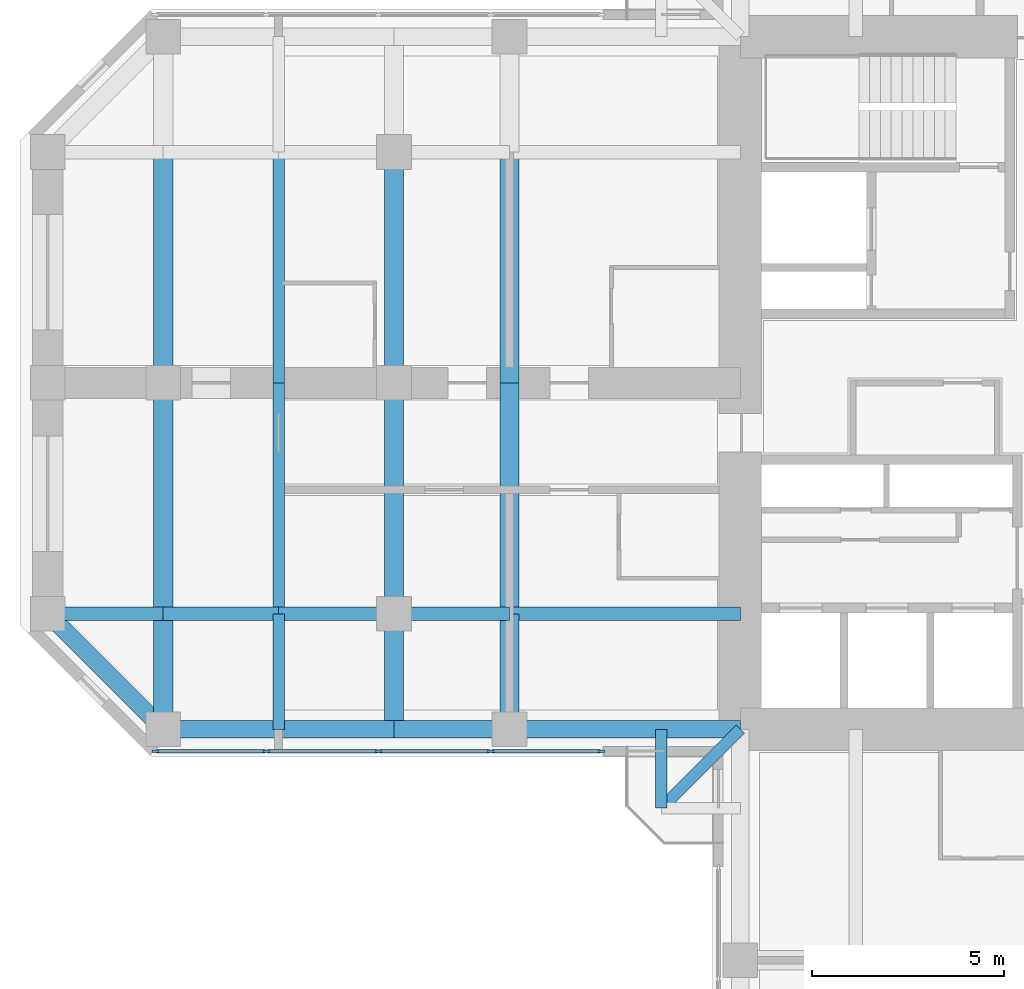
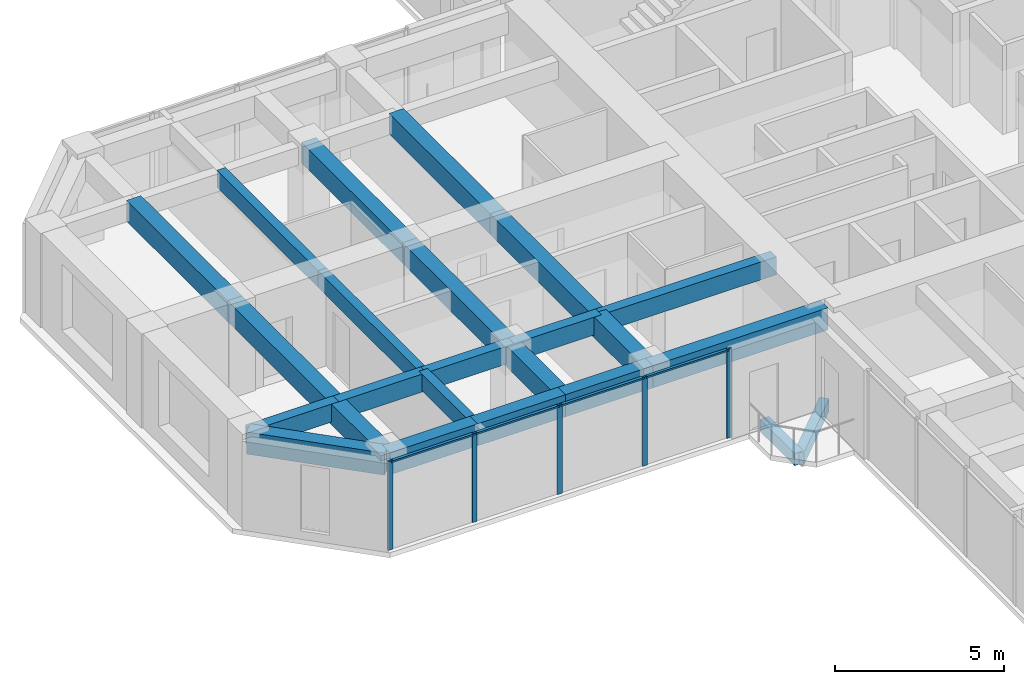
# One storey, part 3 of 14: 24 beams, 9 members, 1 element without a shape of its own.
"""IFC4 building model written with IfcOpenShell, lengths in metres."""

from ifc_helpers import new_model, si_unit, direction, frame, origin, origin_2d, place, context, subcontext, project, spatial, rectangle, extrude, material, material_profile, profile_set, type_object, element, aggregate, save


model = new_model("IFC4")

# Units and contexts
model_context = context("Model", 3, precision=1e-05, world=origin(), true_north=direction((0.0, 1.0)))
body_context = subcontext(model_context, "Body", "Model", "MODEL_VIEW")
ifc_project = project(units=[si_unit("LENGTHUNIT", "METRE"), si_unit("AREAUNIT", "SQUARE_METRE"), si_unit("VOLUMEUNIT", "CUBIC_METRE"), si_unit("PLANEANGLEUNIT", "RADIAN"), si_unit("MASSUNIT", "GRAM", prefix="KILO")], contexts=[model_context])

# Site, building, storey
site_placement = place(None, origin())
site = spatial("IfcSite", under=ifc_project, at=site_placement, CompositionType="ELEMENT")
building_placement = place(site_placement, origin())
building = spatial("IfcBuilding", under=site, at=building_placement, Name="Torre Cruceta", CompositionType="ELEMENT")
storey_placement = place(building_placement, frame((0.0, 0.0, 210.300048828125)))
storey = spatial("IfcBuildingStorey", under=building, at=storey_placement, Name="L53", CompositionType="ELEMENT", Elevation=210.300048828125)

# Beams
ifc_material_1 = material(Name="Concrete G60 (fck 60 MPa)", Category="concrete")
ifc_material_profile_1 = material_profile(ifc_material_1, rectangle(XDim=0.300048828125, YDim=0.449951171875, at=origin_2d()), Name="RC 300X450")
ifc_profile_set_1 = profile_set([ifc_material_profile_1], Name="Concrete G60 (fck 60 MPa)")
beam_type_1 = type_object("IfcBeamType", Name="BALCONY CANTILEVER BEAM RC 300X450", PredefinedType="BEAM", material=ifc_profile_set_1)
beam_1_placement = place(storey_placement, frame((-9.0, -9.0, -0.405029296875), z_axis=(-0.707106781187, -0.707106781187, 0.0), x_axis=(0.707106781187, -0.707106781187, 0.0)))
element("IfcBeam", 1, at=beam_1_placement, inside=storey, type_object=beam_type_1, Name="BB1 balcony beam L53 W", PredefinedType="BEAM", context=body_context, shape_type="SweptSolid", body=[
    extrude(rectangle(XDim=0.300048828125, YDim=0.449951171875, at=origin_2d()), origin(), (0.0, 0.0, 1.0), 2.89990234375),
])
beam_2_placement = place(storey_placement, frame((-11.050537109375, -9.0, -0.405029296875), z_axis=(0.0, -1.0, 0.0), x_axis=(1.0, 0.0, 0.0)))
element("IfcBeam", 2, at=beam_2_placement, inside=storey, type_object=beam_type_1, Name="BB1 balcony edge beam L53 W-X", PredefinedType="BEAM", context=body_context, shape_type="SweptSolid", body=[
    extrude(rectangle(XDim=0.300048828125, YDim=0.449951171875, at=origin_2d()), origin(), (0.0, 0.0, 1.0), 2.050537109375),
])
ifc_material_2 = material(Name="Concrete G60 (fck 60 MPa)", Category="concrete")
ifc_material_profile_2 = material_profile(ifc_material_2, rectangle(XDim=0.35009765625, YDim=0.64990234375, at=origin_2d()), Name="RC 350X650")
ifc_profile_set_2 = profile_set([ifc_material_profile_2], Name="Concrete G60 (fck 60 MPa)")
beam_type_2 = type_object("IfcBeamType", Name="COLUMN LINE BEAM RC 350X650", PredefinedType="BEAM", material=ifc_profile_set_2)
beam_3_placement = place(storey_placement, frame((-9.0, -6.0, 2.89501953125), z_axis=(-1.0, 0.0, 0.0), x_axis=(0.0, -1.0, 0.0)))
element("IfcBeam", 3, at=beam_3_placement, inside=storey, type_object=beam_type_2, Name="LB7 L53 W col+ 1", PredefinedType="BEAM", context=body_context, shape_type="SweptSolid", body=[
    extrude(rectangle(XDim=0.35009765625, YDim=0.64990234375, at=origin_2d()), origin(), (0.0, 0.0, 1.0), 6.0),
])
for number, where, z_axis, x_axis, name in (
    (4, (-15.0, -6.0, 2.89501953125), (-1.0, 0.0, 0.0), (0.0, -1.0, 0.0), "LB7 L53 W col+ 2"),
    (5, (-18.0, -6.0, 2.89501953125), (-1.0, 0.0, 0.0), (0.0, -1.0, 0.0), "LB7 L53 W col+ 3"),
    (6, (-21.0, -6.0, 2.89501953125), (-1.0, 0.0, 0.0), (0.0, -1.0, 0.0), "LB7 L53 W col+ 4"),
    (7, (-24.0, -6.0, 2.89501953125), (-1.0, 0.0, 0.0), (0.0, -1.0, 0.0), "LB7 L53 W col+ 5"),
):
    element("IfcBeam", number, at=place(storey_placement, frame(where, z_axis=z_axis, x_axis=x_axis)), inside=storey, type_object=beam_type_2, Name=name, PredefinedType="BEAM", context=body_context, shape_type="SweptSolid", body=[
        extrude(rectangle(XDim=0.35009765625, YDim=0.64990234375, at=origin_2d()), origin(), (0.0, 0.0, 1.0), 3.0),
    ])
ifc_material_3 = material(Name="Concrete G60 (fck 60 MPa)", Category="concrete")
ifc_material_profile_3 = material_profile(ifc_material_3, rectangle(XDim=0.5, YDim=0.75, at=origin_2d()), Name="RC 500X750")
ifc_profile_set_3 = profile_set([ifc_material_profile_3], Name="Concrete G60 (fck 60 MPa)")
beam_type_3 = type_object("IfcBeamType", Name="CROSS BEAM RC 500X750", PredefinedType="BEAM", material=ifc_profile_set_3)
for number, where, z_axis, x_axis, name in (
    (8, (-15.0, 6.0, 2.844970703125), (0.0, -1.0, 0.0), (1.0, 0.0, 0.0), "GB6 L53 W cross15 2"),
    (9, (-15.0, 0.0, 2.844970703125), (0.0, -1.0, 0.0), (1.0, 0.0, 0.0), "GB6 L53 W cross15 3"),
):
    element("IfcBeam", number, at=place(storey_placement, frame(where, z_axis=z_axis, x_axis=x_axis)), inside=storey, type_object=beam_type_3, Name=name, PredefinedType="BEAM", context=body_context, shape_type="SweptSolid", body=[
        extrude(rectangle(XDim=0.5, YDim=0.75, at=origin_2d()), origin(), (0.0, 0.0, 1.0), 6.0),
    ])
beam_4_placement = place(storey_placement, frame((-15.0, -6.0, 2.844970703125), z_axis=(0.0, -1.0, 0.0), x_axis=(1.0, 0.0, 0.0)))
element("IfcBeam", 10, at=beam_4_placement, inside=storey, type_object=beam_type_3, Name="GB6 L53 W cross15 4", PredefinedType="BEAM", context=body_context, shape_type="SweptSolid", body=[
    extrude(rectangle(XDim=0.5, YDim=0.75, at=origin_2d()), origin(), (0.0, 0.0, 1.0), 3.0),
])
for number, where, z_axis, x_axis, name in (
    (11, (-18.0, 6.0, 2.844970703125), (0.0, -1.0, 0.0), (1.0, 0.0, 0.0), "GB6 L53 W cross18 2"),
    (12, (-18.0, 0.0, 2.844970703125), (0.0, -1.0, 0.0), (1.0, 0.0, 0.0), "GB6 L53 W cross18 3"),
):
    element("IfcBeam", number, at=place(storey_placement, frame(where, z_axis=z_axis, x_axis=x_axis)), inside=storey, type_object=beam_type_3, Name=name, PredefinedType="BEAM", context=body_context, shape_type="SweptSolid", body=[
        extrude(rectangle(XDim=0.5, YDim=0.75, at=origin_2d()), origin(), (0.0, 0.0, 1.0), 6.0),
    ])
beam_5_placement = place(storey_placement, frame((-18.0, -6.0, 2.844970703125), z_axis=(0.0, -1.0, 0.0), x_axis=(1.0, 0.0, 0.0)))
element("IfcBeam", 13, at=beam_5_placement, inside=storey, type_object=beam_type_3, Name="GB6 L53 W cross18 4", PredefinedType="BEAM", context=body_context, shape_type="SweptSolid", body=[
    extrude(rectangle(XDim=0.5, YDim=0.75, at=origin_2d()), origin(), (0.0, 0.0, 1.0), 3.0),
])
for number, where, z_axis, x_axis, name in (
    (14, (-24.0, 6.0, 2.844970703125), (0.0, -1.0, 0.0), (1.0, 0.0, 0.0), "GB6 L53 W cross24 2"),
    (15, (-24.0, 0.0, 2.844970703125), (0.0, -1.0, 0.0), (1.0, 0.0, 0.0), "GB6 L53 W cross24 3"),
):
    element("IfcBeam", number, at=place(storey_placement, frame(where, z_axis=z_axis, x_axis=x_axis)), inside=storey, type_object=beam_type_3, Name=name, PredefinedType="BEAM", context=body_context, shape_type="SweptSolid", body=[
        extrude(rectangle(XDim=0.5, YDim=0.75, at=origin_2d()), origin(), (0.0, 0.0, 1.0), 6.0),
    ])
beam_6_placement = place(storey_placement, frame((-24.0, -6.0, 2.844970703125), z_axis=(0.0, -1.0, 0.0), x_axis=(1.0, 0.0, 0.0)))
element("IfcBeam", 16, at=beam_6_placement, inside=storey, type_object=beam_type_3, Name="GB6 L53 W cross24 4", PredefinedType="BEAM", context=body_context, shape_type="SweptSolid", body=[
    extrude(rectangle(XDim=0.5, YDim=0.75, at=origin_2d()), origin(), (0.0, 0.0, 1.0), 3.0),
])

# Curtain wall, members
ifc_material_4 = material(Name="Aluminium unitised curtain wall", Category="aluminium")
curtain_wall_type = type_object("IfcCurtainWallType", Name="CURTAIN WALL CW-C CO-LIVING", PredefinedType="USERDEFINED", material=ifc_material_4)
curtain_wall_placement = place(storey_placement, origin())
curtain_wall = element("IfcCurtainWall", 17, at=curtain_wall_placement, inside=storey, type_object=curtain_wall_type, Name="CW-C L53 W side 14", ObjectType="UNITISED", PredefinedType="USERDEFINED")
ifc_material_5 = material(Name="Aluminium mullion", Category="aluminium")
ifc_material_profile_4 = material_profile(ifc_material_5, rectangle(XDim=0.06005859375, YDim=0.159912109375, at=origin_2d()), Name="AL 60X160")
ifc_profile_set_4 = profile_set([ifc_material_profile_4], Name="Aluminium mullion")
member_type_1 = type_object("IfcMemberType", Name="CW-C MULLION 60X160", PredefinedType="MULLION", material=ifc_profile_set_4)
member_1_placement = place(storey_placement, frame((-24.2060546875, -9.570068359375, 0.0), z_axis=(0.0, 0.0, 1.0), x_axis=(0.0, 1.0, 0.0)))
member_1 = element("IfcMember", 18, at=member_1_placement, type_object=member_type_1, Name="CW-C mullion 1", PredefinedType="MULLION", context=body_context, shape_type="SweptSolid", body=[
    extrude(rectangle(XDim=0.06005859375, YDim=0.159912109375, at=origin_2d()), origin(), (0.0, 0.0, 1.0), 3.219970703125),
])
member_2_placement = place(storey_placement, frame((-21.319580078125, -9.570068359375, 0.0), z_axis=(0.0, 0.0, 1.0), x_axis=(0.0, 1.0, 0.0)))
member_2 = element("IfcMember", 19, at=member_2_placement, type_object=member_type_1, Name="CW-C mullion 2", PredefinedType="MULLION", context=body_context, shape_type="SweptSolid", body=[
    extrude(rectangle(XDim=0.06005859375, YDim=0.159912109375, at=origin_2d()), origin(), (0.0, 0.0, 1.0), 3.219970703125),
])
member_3_placement = place(storey_placement, frame((-18.403076171875, -9.570068359375, 0.0), z_axis=(0.0, 0.0, 1.0), x_axis=(0.0, 1.0, 0.0)))
member_3 = element("IfcMember", 20, at=member_3_placement, type_object=member_type_1, Name="CW-C mullion 3", PredefinedType="MULLION", context=body_context, shape_type="SweptSolid", body=[
    extrude(rectangle(XDim=0.06005859375, YDim=0.159912109375, at=origin_2d()), origin(), (0.0, 0.0, 1.0), 3.219970703125),
])
member_4_placement = place(storey_placement, frame((-15.486572265625, -9.570068359375, 0.0), z_axis=(0.0, 0.0, 1.0), x_axis=(0.0, 1.0, 0.0)))
member_4 = element("IfcMember", 21, at=member_4_placement, type_object=member_type_1, Name="CW-C mullion 4", PredefinedType="MULLION", context=body_context, shape_type="SweptSolid", body=[
    extrude(rectangle(XDim=0.06005859375, YDim=0.159912109375, at=origin_2d()), origin(), (0.0, 0.0, 1.0), 3.219970703125),
])
member_5_placement = place(storey_placement, frame((-12.60009765625, -9.570068359375, 0.0), z_axis=(0.0, 0.0, 1.0), x_axis=(0.0, 1.0, 0.0)))
member_5 = element("IfcMember", 22, at=member_5_placement, type_object=member_type_1, Name="CW-C mullion 5", PredefinedType="MULLION", context=body_context, shape_type="SweptSolid", body=[
    extrude(rectangle(XDim=0.06005859375, YDim=0.159912109375, at=origin_2d()), origin(), (0.0, 0.0, 1.0), 3.219970703125),
])
ifc_material_6 = material(Name="Aluminium transom", Category="aluminium")
ifc_material_profile_5 = material_profile(ifc_material_6, rectangle(XDim=0.10009765625, YDim=0.06005859375, at=origin_2d()), Name="AL 100X60")
ifc_profile_set_5 = profile_set([ifc_material_profile_5], Name="Aluminium transom")
member_type_2 = type_object("IfcMemberType", Name="CW-C TRANSOM 60X100", PredefinedType="USERDEFINED", material=ifc_profile_set_5)
member_6_placement = place(storey_placement, frame((-24.176025390625, -9.570068359375, 3.18994140625), z_axis=(1.0, 0.0, 0.0), x_axis=(0.0, 1.0, 0.0)))
member_6 = element("IfcMember", 23, at=member_6_placement, type_object=member_type_2, Name="CW-C transom 1", ObjectType="TRANSOM", PredefinedType="USERDEFINED", context=body_context, shape_type="SweptSolid", body=[
    extrude(rectangle(XDim=0.10009765625, YDim=0.06005859375, at=origin_2d()), origin(), (0.0, 0.0, 1.0), 2.826416015625),
])
member_7_placement = place(storey_placement, frame((-21.28955078125, -9.570068359375, 3.18994140625), z_axis=(1.0, 0.0, 0.0), x_axis=(0.0, 1.0, 0.0)))
member_7 = element("IfcMember", 24, at=member_7_placement, type_object=member_type_2, Name="CW-C transom 2", ObjectType="TRANSOM", PredefinedType="USERDEFINED", context=body_context, shape_type="SweptSolid", body=[
    extrude(rectangle(XDim=0.10009765625, YDim=0.06005859375, at=origin_2d()), origin(), (0.0, 0.0, 1.0), 2.8564453125),
])
member_8_placement = place(storey_placement, frame((-18.373046875, -9.570068359375, 3.18994140625), z_axis=(1.0, 0.0, 0.0), x_axis=(0.0, 1.0, 0.0)))
member_8 = element("IfcMember", 25, at=member_8_placement, type_object=member_type_2, Name="CW-C transom 3", ObjectType="TRANSOM", PredefinedType="USERDEFINED", context=body_context, shape_type="SweptSolid", body=[
    extrude(rectangle(XDim=0.10009765625, YDim=0.06005859375, at=origin_2d()), origin(), (0.0, 0.0, 1.0), 2.8564453125),
])
member_9_placement = place(storey_placement, frame((-15.45654296875, -9.570068359375, 3.18994140625), z_axis=(1.0, 0.0, 0.0), x_axis=(0.0, 1.0, 0.0)))
member_9 = element("IfcMember", 26, at=member_9_placement, type_object=member_type_2, Name="CW-C transom 4", ObjectType="TRANSOM", PredefinedType="USERDEFINED", context=body_context, shape_type="SweptSolid", body=[
    extrude(rectangle(XDim=0.10009765625, YDim=0.06005859375, at=origin_2d()), origin(), (0.0, 0.0, 1.0), 2.82666015625),
])
aggregate(curtain_wall, [member_1, member_2, member_3, member_4, member_5, member_6, member_7, member_8, member_9])

# Beams
ifc_material_7 = material(Name="Concrete G60 (fck 60 MPa)", Category="concrete")
ifc_material_profile_6 = material_profile(ifc_material_7, rectangle(XDim=0.300048828125, YDim=0.60009765625, at=origin_2d()), Name="RC 300X600")
ifc_profile_set_6 = profile_set([ifc_material_profile_6], Name="Concrete G60 (fck 60 MPa)")
beam_type_4 = type_object("IfcBeamType", Name="SECONDARY BEAM RC 300X600", PredefinedType="JOIST", material=ifc_profile_set_6)
for number, where, z_axis, x_axis, name in (
    (27, (-21.0, 6.0, 2.919921875), (0.0, -1.0, 0.0), (1.0, 0.0, 0.0), "JB6 L53 W sec21 2"),
    (28, (-21.0, 0.0, 2.919921875), (0.0, -1.0, 0.0), (1.0, 0.0, 0.0), "JB6 L53 W sec21 3"),
):
    element("IfcBeam", number, at=place(storey_placement, frame(where, z_axis=z_axis, x_axis=x_axis)), inside=storey, type_object=beam_type_4, Name=name, PredefinedType="JOIST", context=body_context, shape_type="SweptSolid", body=[
        extrude(rectangle(XDim=0.300048828125, YDim=0.60009765625, at=origin_2d()), origin(), (0.0, 0.0, 1.0), 6.0),
    ])
beam_7_placement = place(storey_placement, frame((-21.0, -6.0, 2.919921875), z_axis=(0.0, -1.0, 0.0), x_axis=(1.0, 0.0, 0.0)))
element("IfcBeam", 29, at=beam_7_placement, inside=storey, type_object=beam_type_4, Name="JB6 L53 W sec21 4", PredefinedType="JOIST", context=body_context, shape_type="SweptSolid", body=[
    extrude(rectangle(XDim=0.300048828125, YDim=0.60009765625, at=origin_2d()), origin(), (0.0, 0.0, 1.0), 3.0),
])
ifc_material_8 = material(Name="Concrete G60 (fck 60 MPa)", Category="concrete")
ifc_material_profile_7 = material_profile(ifc_material_8, rectangle(XDim=0.449951171875, YDim=0.800048828125, at=origin_2d()), Name="RC 450X800")
ifc_profile_set_7 = profile_set([ifc_material_profile_7], Name="Concrete G60 (fck 60 MPa)")
beam_type_5 = type_object("IfcBeamType", Name="SPANDREL BEAM RC 450X800", PredefinedType="SPANDREL", material=ifc_profile_set_7)
beam_8_placement = place(storey_placement, frame((-9.0, -9.0, 2.820068359375), z_axis=(-1.0, 0.0, 0.0), x_axis=(0.0, -1.0, 0.0)))
element("IfcBeam", 30, at=beam_8_placement, inside=storey, type_object=beam_type_5, Name="SB6 L53 W side+ 1", PredefinedType="SPANDREL", context=body_context, shape_type="SweptSolid", body=[
    extrude(rectangle(XDim=0.449951171875, YDim=0.800048828125, at=origin_2d()), origin(), (0.0, 0.0, 1.0), 6.0),
])
for number, where, z_axis, x_axis, name in (
    (31, (-15.0, -9.0, 2.820068359375), (-1.0, 0.0, 0.0), (0.0, -1.0, 0.0), "SB6 L53 W side+ 2"),
    (32, (-18.0, -9.0, 2.820068359375), (-1.0, 0.0, 0.0), (0.0, -1.0, 0.0), "SB6 L53 W side+ 3"),
    (33, (-21.0, -9.0, 2.820068359375), (-1.0, 0.0, 0.0), (0.0, -1.0, 0.0), "SB6 L53 W side+ 4"),
):
    element("IfcBeam", number, at=place(storey_placement, frame(where, z_axis=z_axis, x_axis=x_axis)), inside=storey, type_object=beam_type_5, Name=name, PredefinedType="SPANDREL", context=body_context, shape_type="SweptSolid", body=[
        extrude(rectangle(XDim=0.449951171875, YDim=0.800048828125, at=origin_2d()), origin(), (0.0, 0.0, 1.0), 3.0),
    ])
beam_9_placement = place(storey_placement, frame((-24.0, -9.0, 2.820068359375), z_axis=(-0.707106781187, 0.707106781187, 0.0), x_axis=(-0.707106781187, -0.707106781187, 0.0)))
element("IfcBeam", 34, at=beam_9_placement, inside=storey, type_object=beam_type_5, Name="SB6 L53 W side+ 5", PredefinedType="SPANDREL", context=body_context, shape_type="SweptSolid", body=[
    extrude(rectangle(XDim=0.449951171875, YDim=0.800048828125, at=origin_2d()), origin(), (0.0, 0.0, 1.0), 4.24267578125),
])

save(model, "model.ifc")
